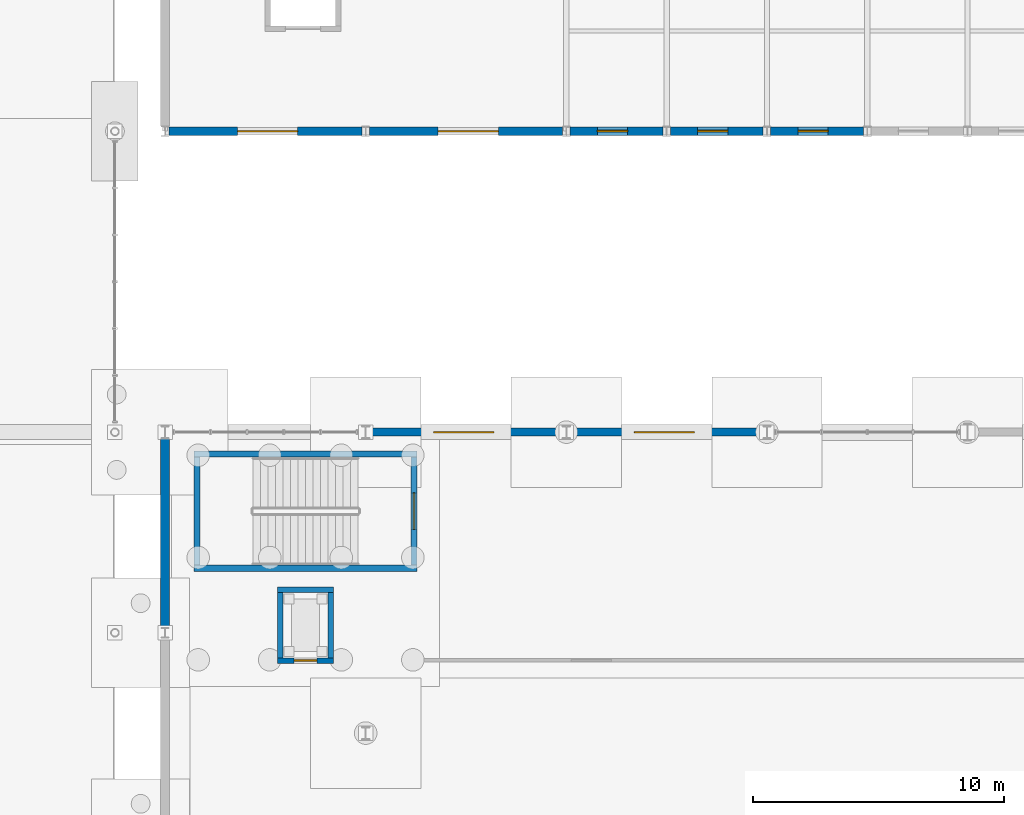
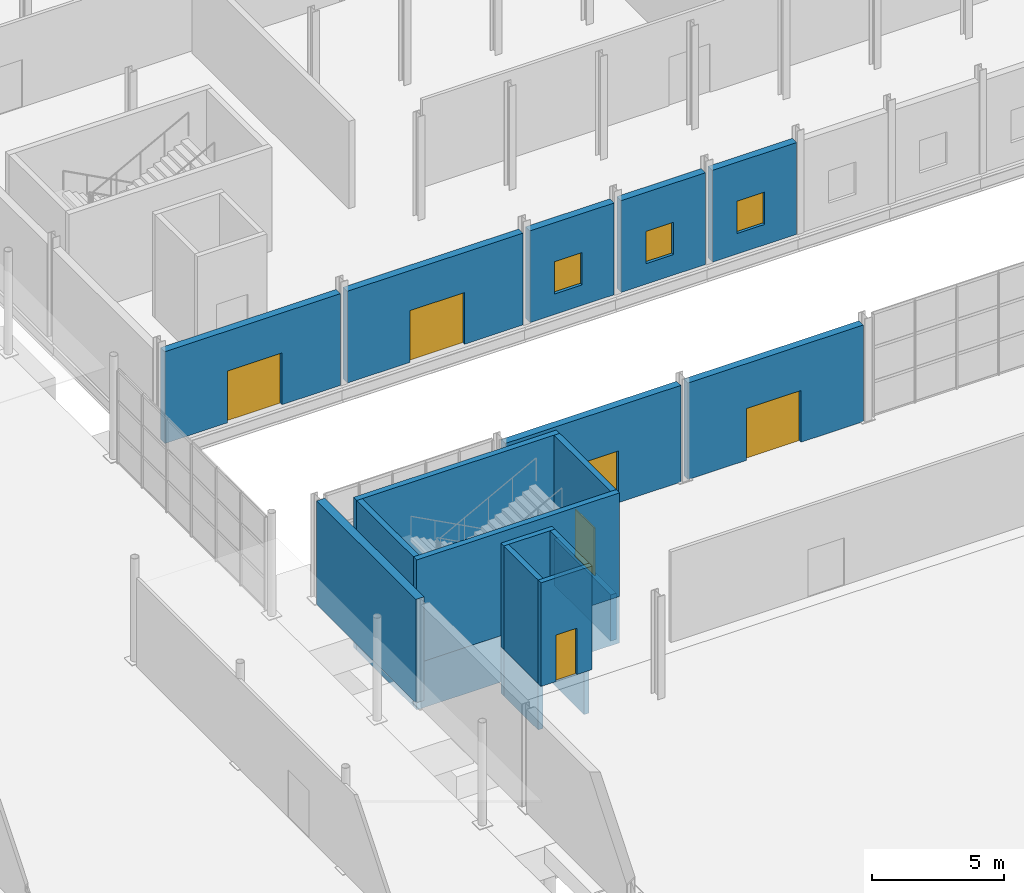
# One storey, part 77 of 101: 23 walls, 6 doors, 3 windows, 9 openings.
"""IFC4 building model written with IfcOpenShell, lengths in metres."""

from ifc_helpers import new_model, si_unit, derived_unit, direction, frame, frame_2d, origin, place, context, subcontext, project, spatial, rectangle, extrude, material, layer, layer_set, type_object, element, fill, save


model = new_model("IFC4")

# Units and contexts
model_context = context("Model", 3, precision=1e-05, world=origin(), true_north=direction((0.0, 1.0)))
body_context = subcontext(model_context, "Body", "Model", "MODEL_VIEW")
ifc_project = project(units=[si_unit("LENGTHUNIT", "METRE"), si_unit("AREAUNIT", "SQUARE_METRE"), si_unit("VOLUMEUNIT", "CUBIC_METRE"), si_unit("PLANEANGLEUNIT", "RADIAN"), si_unit("MASSUNIT", "GRAM", prefix="KILO"), derived_unit("THERMALTRANSMITTANCEUNIT", [(si_unit("POWERUNIT", "WATT"), 1), (si_unit("LENGTHUNIT", "METRE"), -2), (si_unit("THERMODYNAMICTEMPERATUREUNIT", "KELVIN"), -1)])], contexts=[model_context])

# Site, building, storey
site_placement = place(None, origin())
site = spatial("IfcSite", under=ifc_project, at=site_placement, CompositionType="ELEMENT")
building_placement = place(site_placement, origin())
building = spatial("IfcBuilding", under=site, at=building_placement, Name="Keldorne Ridge Multi-Sports Centre", CompositionType="ELEMENT")
storey_placement = place(building_placement, origin())
storey = spatial("IfcBuildingStorey", under=building, at=storey_placement, Name="L00", CompositionType="ELEMENT", Elevation=0.0)

# Wall, opening, door
ifc_material_1 = material(Name="Precast concrete C40/50", Category="concrete")
ifc_layer_1 = layer(ifc_material_1, 0.320068359375)
ifc_layer_set_1 = layer_set([ifc_layer_1], Name="Precast concrete C40/50")
wall_type_1 = type_object("IfcWallType", Name="WAL-PR-W1", PredefinedType="STANDARD", material=ifc_layer_set_1)
wall_1_placement = place(storey_placement, frame((119.844970703125, 54.0, 0.0), z_axis=(0.0, 0.0, 1.0), x_axis=(-1.0, 0.0, 0.0)))
wall_1 = element("IfcWall", 1, at=wall_1_placement, inside=storey, type_object=wall_type_1, Name="Stacked Courts north courtyard wall 2", PredefinedType="STANDARD", context=body_context, shape_type="SweptSolid", body=[
    extrude(rectangle(XDim=7.68994140625, YDim=0.320068359375, at=frame_2d((3.844970703125, 0.0))), origin(), (0.0, 0.0, 1.0), 4.47998046875),
])
opening_1_placement = place(wall_1_placement, frame((2.735107421875, 0.0, 0.0)))
opening_1 = element("IfcOpeningElement", 2, at=opening_1_placement, cuts=wall_1, Name="Opening ED-01", PredefinedType="OPENING", context=body_context, shape_type="SweptSolid", body=[
    extrude(rectangle(XDim=2.39990234375, YDim=2.39990234375, at=frame_2d((1.199951171875, 1.199951171875))), frame((0.0, 0.169921875, 0.0), z_axis=(0.0, -1.0, 0.0), x_axis=(1.0, 0.0, 0.0)), (0.0, 0.0, 1.0), 0.340087890625),
])
ifc_material_2 = material(Name="Anodized aluminium", Category="aluminium")
door_type_1 = type_object("IfcDoorType", Name="DR-ED-01", OperationType="NOTDEFINED", PredefinedType="DOOR", material=ifc_material_2)
door_1_placement = place(opening_1_placement, origin())
door_1 = element("IfcDoor", 3, at=door_1_placement, inside=storey, type_object=door_type_1, Name="Lower Courts courtyard double exit door 2", OperationType="DOUBLE_DOOR_SINGLE_SWING", OverallHeight=2.39990234375, OverallWidth=2.39990234375, PredefinedType="DOOR", context=body_context, shape_type="SweptSolid", body=[
    extrude(rectangle(XDim=2.39990234375, YDim=2.39990234375, at=frame_2d((1.199951171875, 1.199951171875))), frame((0.0, 0.02490234375, 0.0), z_axis=(0.0, -1.0, 0.0), x_axis=(1.0, 0.0, 0.0)), (0.0, 0.0, 1.0), 0.050048828125),
])
fill(opening_1, door_1)

wall_2_placement = place(storey_placement, frame((127.844970703125, 54.0, 0.0), z_axis=(0.0, 0.0, 1.0), x_axis=(-1.0, 0.0, 0.0)))
wall_2 = element("IfcWall", 4, at=wall_2_placement, inside=storey, type_object=wall_type_1, Name="Stacked Courts north courtyard wall 3", PredefinedType="STANDARD", context=body_context, shape_type="SweptSolid", body=[
    extrude(rectangle(XDim=7.68994140625, YDim=0.320068359375, at=frame_2d((3.844970703125, 0.0))), origin(), (0.0, 0.0, 1.0), 4.47998046875),
])
opening_2_placement = place(wall_2_placement, frame((2.735107421875, 0.0, 0.0)))
opening_2 = element("IfcOpeningElement", 5, at=opening_2_placement, cuts=wall_2, Name="Opening ED-01", PredefinedType="OPENING", context=body_context, shape_type="SweptSolid", body=[
    extrude(rectangle(XDim=2.39990234375, YDim=2.39990234375, at=frame_2d((1.199951171875, 1.199951171875))), frame((0.0, 0.169921875, 0.0), z_axis=(0.0, -1.0, 0.0), x_axis=(1.0, 0.0, 0.0)), (0.0, 0.0, 1.0), 0.340087890625),
])
door_2_placement = place(opening_2_placement, origin())
door_2 = element("IfcDoor", 6, at=door_2_placement, inside=storey, type_object=door_type_1, Name="Lower Courts courtyard double exit door 3", OperationType="DOUBLE_DOOR_SINGLE_SWING", OverallHeight=2.39990234375, OverallWidth=2.39990234375, PredefinedType="DOOR", context=body_context, shape_type="SweptSolid", body=[
    extrude(rectangle(XDim=2.39990234375, YDim=2.39990234375, at=frame_2d((1.199951171875, 1.199951171875))), frame((0.0, 0.02490234375, 0.0), z_axis=(0.0, -1.0, 0.0), x_axis=(1.0, 0.0, 0.0)), (0.0, 0.0, 1.0), 0.050048828125),
])
fill(opening_2, door_2)

wall_3_placement = place(storey_placement, frame((104.152099609375, 66.0, 0.0), z_axis=(0.0, 0.0, 1.0), x_axis=(1.0, 0.0, 0.0)))
wall_3 = element("IfcWall", 7, at=wall_3_placement, inside=storey, type_object=wall_type_1, Name="East Wing L00 south facade 1", PredefinedType="STANDARD", context=body_context, shape_type="SweptSolid", body=[
    extrude(rectangle(XDim=7.69580078125, YDim=0.320068359375, at=frame_2d((3.847900390625, 0.0))), origin(), (0.0, 0.0, 1.0), 4.2548828125),
])
opening_3_placement = place(wall_3_placement, frame((2.738037109375, 0.0, 0.0)))
opening_3 = element("IfcOpeningElement", 8, at=opening_3_placement, cuts=wall_3, Name="Opening ED-01", PredefinedType="OPENING", context=body_context, shape_type="SweptSolid", body=[
    extrude(rectangle(XDim=2.39990234375, YDim=2.39990234375, at=frame_2d((1.199951171875, 1.199951171875))), frame((0.0, 0.169921875, 0.0), z_axis=(0.0, -1.0, 0.0), x_axis=(1.0, 0.0, 0.0)), (0.0, 0.0, 1.0), 0.340087890625),
])
door_3_placement = place(opening_3_placement, origin())
door_3 = element("IfcDoor", 9, at=door_3_placement, inside=storey, type_object=door_type_1, Name="East Wing south exit door 1", OperationType="DOUBLE_DOOR_SINGLE_SWING", OverallHeight=2.39990234375, OverallWidth=2.39990234375, PredefinedType="DOOR", context=body_context, shape_type="SweptSolid", body=[
    extrude(rectangle(XDim=2.39990234375, YDim=2.39990234375, at=frame_2d((1.199951171875, 1.199951171875))), frame((0.0, 0.02490234375, 0.0), z_axis=(0.0, -1.0, 0.0), x_axis=(1.0, 0.0, 0.0)), (0.0, 0.0, 1.0), 0.050048828125),
])
fill(opening_3, door_3)

wall_4_placement = place(storey_placement, frame((112.152099609375, 66.0, 0.0), z_axis=(0.0, 0.0, 1.0), x_axis=(1.0, 0.0, 0.0)))
wall_4 = element("IfcWall", 10, at=wall_4_placement, inside=storey, type_object=wall_type_1, Name="East Wing L00 south facade 2", PredefinedType="STANDARD", context=body_context, shape_type="SweptSolid", body=[
    extrude(rectangle(XDim=7.69580078125, YDim=0.320068359375, at=frame_2d((3.847900390625, 0.0))), origin(), (0.0, 0.0, 1.0), 4.2548828125),
])
opening_4_placement = place(wall_4_placement, frame((2.738037109375, 0.0, 0.0)))
opening_4 = element("IfcOpeningElement", 11, at=opening_4_placement, cuts=wall_4, Name="Opening ED-01", PredefinedType="OPENING", context=body_context, shape_type="SweptSolid", body=[
    extrude(rectangle(XDim=2.39990234375, YDim=2.39990234375, at=frame_2d((1.199951171875, 1.199951171875))), frame((0.0, 0.169921875, 0.0), z_axis=(0.0, -1.0, 0.0), x_axis=(1.0, 0.0, 0.0)), (0.0, 0.0, 1.0), 0.340087890625),
])
door_4_placement = place(opening_4_placement, origin())
door_4 = element("IfcDoor", 12, at=door_4_placement, inside=storey, type_object=door_type_1, Name="East Wing south exit door 2", OperationType="DOUBLE_DOOR_SINGLE_SWING", OverallHeight=2.39990234375, OverallWidth=2.39990234375, PredefinedType="DOOR", context=body_context, shape_type="SweptSolid", body=[
    extrude(rectangle(XDim=2.39990234375, YDim=2.39990234375, at=frame_2d((1.199951171875, 1.199951171875))), frame((0.0, 0.02490234375, 0.0), z_axis=(0.0, -1.0, 0.0), x_axis=(1.0, 0.0, 0.0)), (0.0, 0.0, 1.0), 0.050048828125),
])
fill(opening_4, door_4)

# Wall, opening, window
wall_5_placement = place(storey_placement, frame((120.152099609375, 66.0, 0.0), z_axis=(0.0, 0.0, 1.0), x_axis=(1.0, 0.0, 0.0)))
wall_5 = element("IfcWall", 13, at=wall_5_placement, inside=storey, type_object=wall_type_1, Name="East Wing L00 south facade 3", PredefinedType="STANDARD", context=body_context, shape_type="SweptSolid", body=[
    extrude(rectangle(XDim=3.69580078125, YDim=0.320068359375, at=frame_2d((1.847900390625, 0.0))), origin(), (0.0, 0.0, 1.0), 4.2548828125),
])
opening_5_placement = place(wall_5_placement, frame((1.087890625, 0.0, 0.949951171875)))
opening_5 = element("IfcOpeningElement", 14, at=opening_5_placement, cuts=wall_5, Name="Opening W-03", PredefinedType="OPENING", context=body_context, shape_type="SweptSolid", body=[
    extrude(rectangle(XDim=1.199951171875, YDim=1.5, at=frame_2d((0.60009765625, 0.75))), frame((0.0, 0.169921875, 0.0), z_axis=(0.0, -1.0, 0.0), x_axis=(1.0, 0.0, 0.0)), (0.0, 0.0, 1.0), 0.340087890625),
])
window_type = type_object("IfcWindowType", Name="WIN-W-03", PartitioningType="SINGLE_PANEL", PredefinedType="WINDOW", material=ifc_material_2)
window_1_placement = place(opening_5_placement, origin())
window_1 = element("IfcWindow", 15, at=window_1_placement, inside=storey, type_object=window_type, Name="East Wing L00 south window W-031", OverallHeight=1.5, OverallWidth=1.199951171875, PartitioningType="SINGLE_PANEL", PredefinedType="WINDOW", context=body_context, shape_type="SweptSolid", body=[
    extrude(rectangle(XDim=1.199951171875, YDim=1.5, at=frame_2d((0.60009765625, 0.75))), frame((0.0, 0.030029296875, 0.0), z_axis=(0.0, -1.0, 0.0), x_axis=(1.0, 0.0, 0.0)), (0.0, 0.0, 1.0), 0.06005859375),
])
fill(opening_5, window_1)

wall_6_placement = place(storey_placement, frame((124.152099609375, 66.0, 0.0), z_axis=(0.0, 0.0, 1.0), x_axis=(1.0, 0.0, 0.0)))
wall_6 = element("IfcWall", 16, at=wall_6_placement, inside=storey, type_object=wall_type_1, Name="East Wing L00 south facade 4", PredefinedType="STANDARD", context=body_context, shape_type="SweptSolid", body=[
    extrude(rectangle(XDim=3.69580078125, YDim=0.320068359375, at=frame_2d((1.847900390625, 0.0))), origin(), (0.0, 0.0, 1.0), 4.2548828125),
])
opening_6_placement = place(wall_6_placement, frame((1.087890625, 0.0, 0.949951171875)))
opening_6 = element("IfcOpeningElement", 17, at=opening_6_placement, cuts=wall_6, Name="Opening W-03", PredefinedType="OPENING", context=body_context, shape_type="SweptSolid", body=[
    extrude(rectangle(XDim=1.199951171875, YDim=1.5, at=frame_2d((0.60009765625, 0.75))), frame((0.0, 0.169921875, 0.0), z_axis=(0.0, -1.0, 0.0), x_axis=(1.0, 0.0, 0.0)), (0.0, 0.0, 1.0), 0.340087890625),
])
window_2_placement = place(opening_6_placement, origin())
window_2 = element("IfcWindow", 18, at=window_2_placement, inside=storey, type_object=window_type, Name="East Wing L00 south window W-032", OverallHeight=1.5, OverallWidth=1.199951171875, PartitioningType="SINGLE_PANEL", PredefinedType="WINDOW", context=body_context, shape_type="SweptSolid", body=[
    extrude(rectangle(XDim=1.199951171875, YDim=1.5, at=frame_2d((0.60009765625, 0.75))), frame((0.0, 0.030029296875, 0.0), z_axis=(0.0, -1.0, 0.0), x_axis=(1.0, 0.0, 0.0)), (0.0, 0.0, 1.0), 0.06005859375),
])
fill(opening_6, window_2)

wall_7_placement = place(storey_placement, frame((128.152099609375, 66.0, 0.0), z_axis=(0.0, 0.0, 1.0), x_axis=(1.0, 0.0, 0.0)))
wall_7 = element("IfcWall", 19, at=wall_7_placement, inside=storey, type_object=wall_type_1, Name="East Wing L00 south facade 5", PredefinedType="STANDARD", context=body_context, shape_type="SweptSolid", body=[
    extrude(rectangle(XDim=3.69580078125, YDim=0.320068359375, at=frame_2d((1.847900390625, 0.0))), origin(), (0.0, 0.0, 1.0), 4.2548828125),
])
opening_7_placement = place(wall_7_placement, frame((1.087890625, 0.0, 0.949951171875)))
opening_7 = element("IfcOpeningElement", 20, at=opening_7_placement, cuts=wall_7, Name="Opening W-03", PredefinedType="OPENING", context=body_context, shape_type="SweptSolid", body=[
    extrude(rectangle(XDim=1.199951171875, YDim=1.5, at=frame_2d((0.60009765625, 0.75))), frame((0.0, 0.169921875, 0.0), z_axis=(0.0, -1.0, 0.0), x_axis=(1.0, 0.0, 0.0)), (0.0, 0.0, 1.0), 0.340087890625),
])
window_3_placement = place(opening_7_placement, origin())
window_3 = element("IfcWindow", 21, at=window_3_placement, inside=storey, type_object=window_type, Name="East Wing L00 south window W-033", OverallHeight=1.5, OverallWidth=1.199951171875, PartitioningType="SINGLE_PANEL", PredefinedType="WINDOW", context=body_context, shape_type="SweptSolid", body=[
    extrude(rectangle(XDim=1.199951171875, YDim=1.5, at=frame_2d((0.60009765625, 0.75))), frame((0.0, 0.030029296875, 0.0), z_axis=(0.0, -1.0, 0.0), x_axis=(1.0, 0.0, 0.0)), (0.0, 0.0, 1.0), 0.06005859375),
])
fill(opening_7, window_3)

# Walls
ifc_layer_2 = layer(ifc_material_1, 0.360107421875)
ifc_layer_set_2 = layer_set([ifc_layer_2], Name="Precast concrete C40/50")
wall_type_2 = type_object("IfcWallType", Name="WAL-PR-W2", PredefinedType="STANDARD", material=ifc_layer_set_2)
wall_8_placement = place(storey_placement, frame((104.0, 53.736083984375, 0.0), z_axis=(0.0, 0.0, 1.0), x_axis=(0.0, -1.0, 0.0)))
element("IfcWall", 22, at=wall_8_placement, inside=storey, type_object=wall_type_2, Name="Stacked Courts movement-joint wall L00.6", PredefinedType="STANDARD", context=body_context, shape_type="SweptSolid", body=[
    extrude(rectangle(XDim=7.5341796875, YDim=0.360107421875, at=frame_2d((3.76708984375, 0.0))), origin(), (0.0, 0.0, 1.0), 4.800048828125),
])
ifc_material_3 = material(Name="Concrete C40/50", Category="concrete")
ifc_layer_3 = layer(ifc_material_3, 0.25)
ifc_layer_set_3 = layer_set([ifc_layer_3], Name="Concrete C40/50")
wall_type_3 = type_object("IfcWallType", Name="WAL-SW01", PredefinedType="SHEAR", material=ifc_layer_set_3)
for number, where, z_axis, x_axis, name in (
    (23, (113.925048828125, 48.699951171875, -2.14990234375), (0.0, 0.0, 1.0), (0.0, 1.0, 0.0), "Stair ST-04 foundation stem wall NEAR"),
    (24, (105.27490234375, 53.0, -2.14990234375), (0.0, 0.0, 1.0), (0.0, -1.0, 0.0), "Stair ST-04 foundation stem wall FAR"),
):
    element("IfcWall", number, at=place(storey_placement, frame(where, z_axis=z_axis, x_axis=x_axis)), inside=storey, type_object=wall_type_3, Name=name, PredefinedType="SHEAR", context=body_context, shape_type="SweptSolid", body=[
        extrude(rectangle(XDim=4.300048828125, YDim=0.25, at=frame_2d((2.14990234375, 0.0))), origin(), (0.0, 0.0, 1.0), 2.14990234375),
    ])
for number, where, z_axis, x_axis, name in (
    (25, (105.14990234375, 48.574951171875, -2.14990234375), (0.0, 0.0, 1.0), (1.0, 0.0, 0.0), "Stair ST-04 foundation stem wall SOUTH"),
    (26, (114.050048828125, 53.125, -2.14990234375), (0.0, 0.0, 1.0), (-1.0, 0.0, 0.0), "Stair ST-04 foundation stem wall NORTH"),
):
    element("IfcWall", number, at=place(storey_placement, frame(where, z_axis=z_axis, x_axis=x_axis)), inside=storey, type_object=wall_type_3, Name=name, PredefinedType="SHEAR", context=body_context, shape_type="SweptSolid", body=[
        extrude(rectangle(XDim=8.900146484375, YDim=0.25, at=frame_2d((4.4501953125, 0.0))), origin(), (0.0, 0.0, 1.0), 2.14990234375),
    ])

# Wall, opening, door
wall_9_placement = place(storey_placement, frame((113.925048828125, 48.699951171875, 0.0), z_axis=(0.0, 0.0, 1.0), x_axis=(0.0, 1.0, 0.0)))
wall_9 = element("IfcWall", 27, at=wall_9_placement, inside=storey, type_object=wall_type_3, Name="Stair ST-04 shaft wall L00 NEAR", PredefinedType="SHEAR", context=body_context, shape_type="SweptSolid", body=[
    extrude(rectangle(XDim=4.300048828125, YDim=0.25, at=frame_2d((2.14990234375, 0.0))), origin(), (0.0, 0.0, 1.0), 4.800048828125),
])
opening_8_placement = place(wall_9_placement, frame((1.425048828125, 0.0, 0.0)))
opening_8 = element("IfcOpeningElement", 28, at=opening_8_placement, cuts=wall_9, Name="Opening D-05", PredefinedType="OPENING", context=body_context, shape_type="SweptSolid", body=[
    extrude(rectangle(XDim=1.449951171875, YDim=2.199951171875, at=frame_2d((0.72509765625, 1.10009765625))), frame((0.0, 0.135009765625, 0.0), z_axis=(0.0, -1.0, 0.0), x_axis=(1.0, 0.0, 0.0)), (0.0, 0.0, 1.0), 0.27001953125),
])
ifc_material_4 = material(Name="Steel fire-resisting pair", Category="steel")
door_type_2 = type_object("IfcDoorType", Name="DR-D-05", OperationType="NOTDEFINED", PredefinedType="DOOR", material=ifc_material_4)
door_5_placement = place(opening_8_placement, origin())
door_5 = element("IfcDoor", 29, at=door_5_placement, inside=storey, type_object=door_type_2, Name="Stair ST-04 L00 fire door D-019", OperationType="DOUBLE_DOOR_SINGLE_SWING", OverallHeight=2.199951171875, OverallWidth=1.449951171875, PredefinedType="DOOR", context=body_context, shape_type="SweptSolid", body=[
    extrude(rectangle(XDim=1.449951171875, YDim=2.199951171875, at=frame_2d((0.72509765625, 1.10009765625))), frame((0.0, 0.02490234375, 0.0), z_axis=(0.0, -1.0, 0.0), x_axis=(1.0, 0.0, 0.0)), (0.0, 0.0, 1.0), 0.050048828125),
])
fill(opening_8, door_5)

# Walls
wall_10_placement = place(storey_placement, frame((105.27490234375, 53.0, 0.0), z_axis=(0.0, 0.0, 1.0), x_axis=(0.0, -1.0, 0.0)))
element("IfcWall", 30, at=wall_10_placement, inside=storey, type_object=wall_type_3, Name="Stair ST-04 shaft wall L00 FAR", PredefinedType="SHEAR", context=body_context, shape_type="SweptSolid", body=[
    extrude(rectangle(XDim=4.300048828125, YDim=0.25, at=frame_2d((2.14990234375, 0.0))), origin(), (0.0, 0.0, 1.0), 4.800048828125),
])
for number, where, z_axis, x_axis, name in (
    (31, (105.14990234375, 48.574951171875, 0.0), (0.0, 0.0, 1.0), (1.0, 0.0, 0.0), "Stair ST-04 shaft wall L00 SOUTH"),
    (32, (114.050048828125, 53.125, 0.0), (0.0, 0.0, 1.0), (-1.0, 0.0, 0.0), "Stair ST-04 shaft wall L00 NORTH"),
):
    element("IfcWall", number, at=place(storey_placement, frame(where, z_axis=z_axis, x_axis=x_axis)), inside=storey, type_object=wall_type_3, Name=name, PredefinedType="SHEAR", context=body_context, shape_type="SweptSolid", body=[
        extrude(rectangle(XDim=8.900146484375, YDim=0.25, at=frame_2d((4.4501953125, 0.0))), origin(), (0.0, 0.0, 1.0), 4.800048828125),
    ])
ifc_layer_4 = layer(ifc_material_3, 0.22998046875)
ifc_layer_set_4 = layer_set([ifc_layer_4], Name="Concrete C40/50")
wall_type_4 = type_object("IfcWallType", Name="WAL-SW02", PredefinedType="SHEAR", material=ifc_layer_set_4)
wall_11_placement = place(storey_placement, frame((110.719970703125, 47.7099609375, -2.14990234375), z_axis=(0.0, 0.0, 1.0), x_axis=(-1.0, 0.0, 0.0)))
element("IfcWall", 33, at=wall_11_placement, inside=storey, type_object=wall_type_4, Name="Lift L-03 pit wall N", PredefinedType="SHEAR", context=body_context, shape_type="SweptSolid", body=[
    extrude(rectangle(XDim=2.239990234375, YDim=0.219970703125, at=frame_2d((1.1201171875, 0.0))), origin(), (0.0, 0.0, 1.0), 2.14990234375),
])
for number, where, z_axis, x_axis, name in (
    (34, (108.590087890625, 47.60009765625, -2.14990234375), (0.0, 0.0, 1.0), (0.0, -1.0, 0.0), "Lift L-03 pit wall W"),
    (35, (110.610107421875, 45.0, -2.14990234375), (0.0, 0.0, 1.0), (0.0, 1.0, 0.0), "Lift L-03 pit wall E"),
):
    element("IfcWall", number, at=place(storey_placement, frame(where, z_axis=z_axis, x_axis=x_axis)), inside=storey, type_object=wall_type_4, Name=name, PredefinedType="SHEAR", context=body_context, shape_type="SweptSolid", body=[
        extrude(rectangle(XDim=2.60009765625, YDim=0.219970703125, at=frame_2d((1.300048828125, 0.0))), origin(), (0.0, 0.0, 1.0), 2.14990234375),
    ])

# Wall, opening, door
wall_12_placement = place(storey_placement, frame((108.47998046875, 44.889892578125, 0.0), z_axis=(0.0, 0.0, 1.0), x_axis=(1.0, 0.0, 0.0)))
wall_12 = element("IfcWall", 36, at=wall_12_placement, inside=storey, type_object=wall_type_4, Name="Lift L-03 shaft wall L00 south", PredefinedType="SHEAR", context=body_context, shape_type="SweptSolid", body=[
    extrude(rectangle(XDim=2.239990234375, YDim=0.219970703125, at=frame_2d((1.1201171875, 0.0))), origin(), (0.0, 0.0, 1.0), 4.800048828125),
])
opening_9_placement = place(wall_12_placement, frame((0.669921875, 0.0, 0.0)))
opening_9 = element("IfcOpeningElement", 37, at=opening_9_placement, cuts=wall_12, Name="Opening LD-02", PredefinedType="OPENING", context=body_context, shape_type="SweptSolid", body=[
    extrude(rectangle(XDim=0.89990234375, YDim=2.14990234375, at=frame_2d((0.449951171875, 1.074951171875))), frame((0.0, 0.1201171875, 0.0), z_axis=(0.0, -1.0, 0.0), x_axis=(1.0, 0.0, 0.0)), (0.0, 0.0, 1.0), 0.239990234375),
])
ifc_material_5 = material(Name="Stainless steel", Category="steel")
door_type_3 = type_object("IfcDoorType", Name="DR-LD-02", OperationType="NOTDEFINED", PredefinedType="DOOR", material=ifc_material_5)
door_6_placement = place(opening_9_placement, origin())
door_6 = element("IfcDoor", 38, at=door_6_placement, inside=storey, type_object=door_type_3, Name="Lift L-03 sliding landing door L00", OperationType="SLIDING_TO_LEFT", OverallHeight=2.14990234375, OverallWidth=0.89990234375, PredefinedType="DOOR", context=body_context, shape_type="SweptSolid", body=[
    extrude(rectangle(XDim=0.89990234375, YDim=2.14990234375, at=frame_2d((0.449951171875, 1.074951171875))), frame((0.0, 0.02490234375, 0.0), z_axis=(0.0, -1.0, 0.0), x_axis=(1.0, 0.0, 0.0)), (0.0, 0.0, 1.0), 0.050048828125),
])
fill(opening_9, door_6)

# Walls
wall_13_placement = place(storey_placement, frame((110.719970703125, 47.7099609375, 0.0), z_axis=(0.0, 0.0, 1.0), x_axis=(-1.0, 0.0, 0.0)))
element("IfcWall", 39, at=wall_13_placement, inside=storey, type_object=wall_type_4, Name="Lift L-03 shaft wall L00 north", PredefinedType="SHEAR", context=body_context, shape_type="SweptSolid", body=[
    extrude(rectangle(XDim=2.239990234375, YDim=0.219970703125, at=frame_2d((1.1201171875, 0.0))), origin(), (0.0, 0.0, 1.0), 4.800048828125),
])
for number, where, z_axis, x_axis, name in (
    (40, (108.590087890625, 47.60009765625, 0.0), (0.0, 0.0, 1.0), (0.0, -1.0, 0.0), "Lift L-03 shaft wall L00 west"),
    (41, (110.610107421875, 45.0, 0.0), (0.0, 0.0, 1.0), (0.0, 1.0, 0.0), "Lift L-03 shaft wall L00 east"),
):
    element("IfcWall", number, at=place(storey_placement, frame(where, z_axis=z_axis, x_axis=x_axis)), inside=storey, type_object=wall_type_4, Name=name, PredefinedType="SHEAR", context=body_context, shape_type="SweptSolid", body=[
        extrude(rectangle(XDim=2.60009765625, YDim=0.219970703125, at=frame_2d((1.300048828125, 0.0))), origin(), (0.0, 0.0, 1.0), 4.800048828125),
    ])

save(model, "model.ifc")
